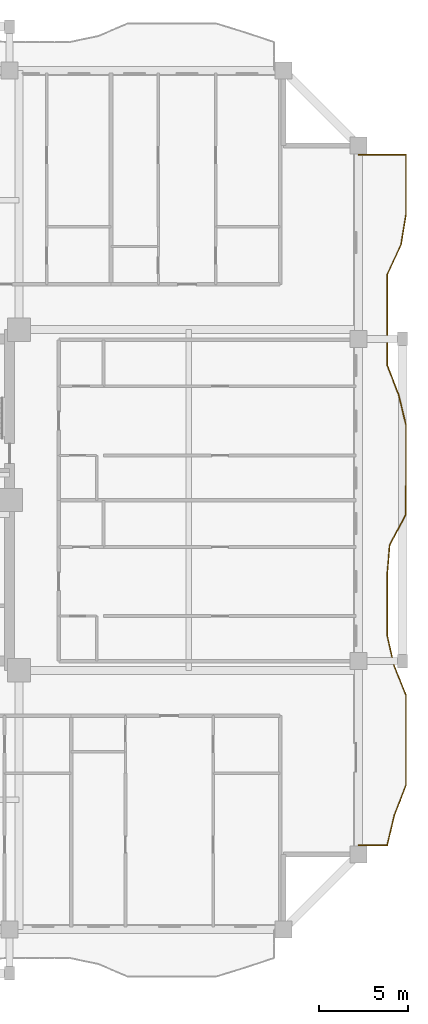
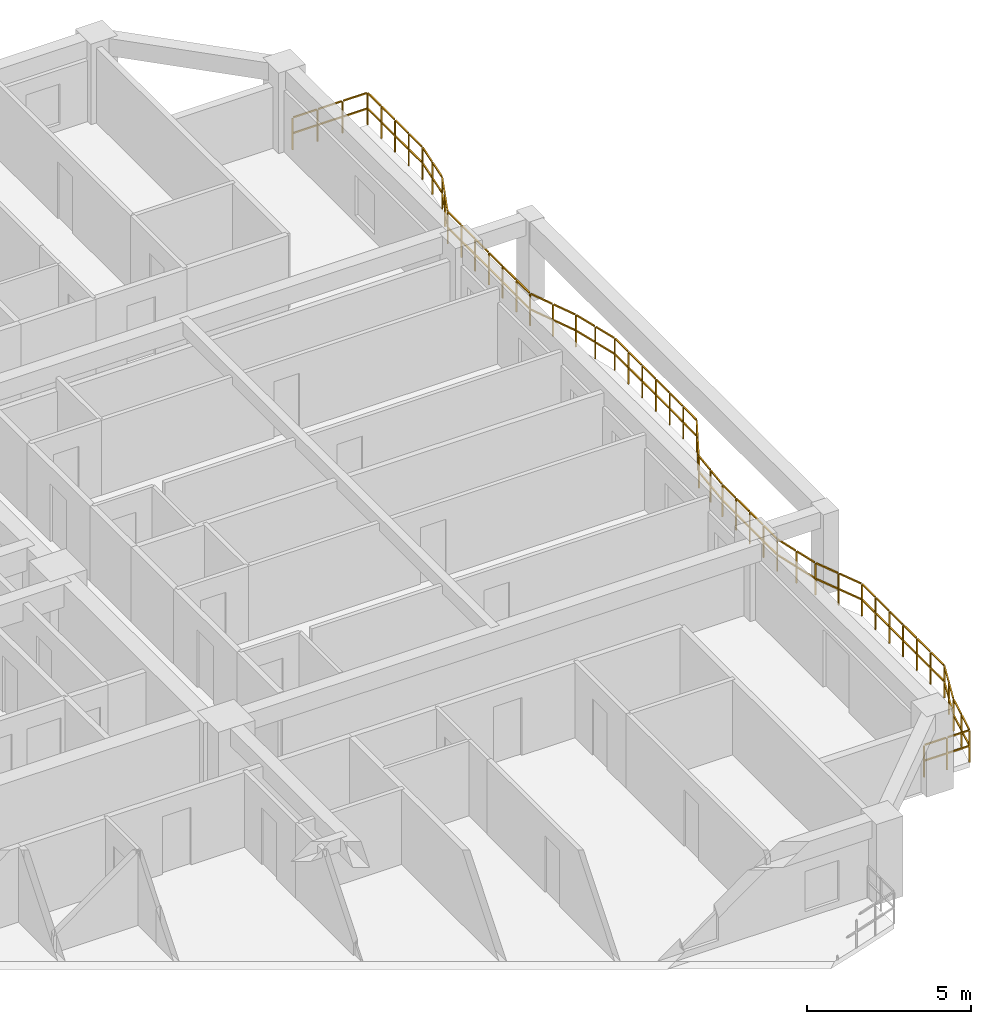
# One storey, part 13 of 14: 1 railing.
"""IFC4 building model written with IfcOpenShell, lengths in metres."""

from ifc_helpers import new_model, si_unit, direction, frame, origin, origin_2d, place, context, subcontext, project, spatial, rectangle, extrude, material, type_object, element, save


model = new_model("IFC4")

# Units and contexts
model_context = context("Model", 3, precision=1e-05, world=origin(), true_north=direction((0.0, 1.0)))
body_context = subcontext(model_context, "Body", "Model", "MODEL_VIEW")
ifc_project = project(units=[si_unit("LENGTHUNIT", "METRE"), si_unit("AREAUNIT", "SQUARE_METRE"), si_unit("VOLUMEUNIT", "CUBIC_METRE"), si_unit("PLANEANGLEUNIT", "RADIAN"), si_unit("MASSUNIT", "GRAM", prefix="KILO")], contexts=[model_context])

# Site, building, storey
site_placement = place(None, origin())
site = spatial("IfcSite", under=ifc_project, at=site_placement, CompositionType="ELEMENT")
building_placement = place(site_placement, origin())
building = spatial("IfcBuilding", under=site, at=building_placement, Name="Saelheon Loggia Tower", CompositionType="ELEMENT")
storey_placement = place(building_placement, frame((0.0, 0.0, 86.85009765625)))
storey = spatial("IfcBuildingStorey", under=building, at=storey_placement, Name="L27", CompositionType="ELEMENT", Elevation=86.85009765625)

# Railing
ifc_material = material(Name="Architectural Precast Concrete and Laminated Glass Guard", Category="concrete")
railing_type = type_object("IfcRailingType", Name="Guard_Loggia_RL_LOG", PredefinedType="BALUSTRADE", material=ifc_material)
railing_placement = place(storey_placement, frame((64.0, 7.699951171875, 0.0)))
element("IfcRailing", 1, at=railing_placement, inside=storey, type_object=railing_type, Name="L27 East Loggia Balustrade", PredefinedType="BALUSTRADE", context=body_context, shape_type="SweptSolid", body=[
    extrude(rectangle(XDim=0.048095703125, YDim=0.048095703125, at=origin_2d()), frame((0.033203125, 0.0, 1.19580078125), z_axis=(1.0, 0.0, 0.0), x_axis=(0.0, 1.0, 0.0)), (0.0, 0.0, 1.0), 0.733642578125),
    extrude(rectangle(XDim=0.048095703125, YDim=0.048095703125, at=origin_2d()), frame((0.033203125, 0.0, 0.60986328125), z_axis=(1.0, 0.0, 0.0), x_axis=(0.0, 1.0, 0.0)), (0.0, 0.0, 1.0), 0.733642578125),
    extrude(rectangle(XDim=0.048095703125, YDim=0.048095703125, at=origin_2d()), frame((0.833251953125, 0.0, 1.19580078125), z_axis=(1.0, 0.0, 0.0), x_axis=(0.0, 1.0, 0.0)), (0.0, 0.0, 1.0), 0.733642578125),
    extrude(rectangle(XDim=0.048095703125, YDim=0.048095703125, at=origin_2d()), frame((0.833251953125, 0.0, 0.60986328125), z_axis=(1.0, 0.0, 0.0), x_axis=(0.0, 1.0, 0.0)), (0.0, 0.0, 1.0), 0.733642578125),
    extrude(rectangle(XDim=0.048095703125, YDim=0.048095703125, at=origin_2d()), frame((1.60791015625, 0.0322265625, 1.19580078125), z_axis=(0.233105455965, 0.972451462233, 0.0), x_axis=(-0.972451462233, 0.233105455965, 0.0)), (0.0, 0.0, 1.0), 0.796630859375),
    extrude(rectangle(XDim=0.048095703125, YDim=0.048095703125, at=origin_2d()), frame((1.60791015625, 0.0322265625, 0.60986328125), z_axis=(0.233105455965, 0.972451462233, 0.0), x_axis=(-0.972451462233, 0.233105455965, 0.0)), (0.0, 0.0, 1.0), 0.796630859375),
    extrude(rectangle(XDim=0.048095703125, YDim=0.048095703125, at=origin_2d()), frame((1.80908203125, 0.87158203125, 1.19580078125), z_axis=(0.233105455965, 0.972451462233, 0.0), x_axis=(-0.972451462233, 0.233105455965, 0.0)), (0.0, 0.0, 1.0), 0.796630859375),
    extrude(rectangle(XDim=0.048095703125, YDim=0.048095703125, at=origin_2d()), frame((1.80908203125, 0.87158203125, 0.60986328125), z_axis=(0.233105455965, 0.972451462233, 0.0), x_axis=(-0.972451462233, 0.233105455965, 0.0)), (0.0, 0.0, 1.0), 0.796630859375),
    extrude(rectangle(XDim=0.048095703125, YDim=0.048095703125, at=origin_2d()), frame((2.014404296875, 1.70947265625, 1.19580078125), z_axis=(0.359988539971, 0.932956725197, 0.0), x_axis=(-0.932956725197, 0.359988539971, 0.0)), (0.0, 0.0, 1.0), 0.832763671875),
    extrude(rectangle(XDim=0.048095703125, YDim=0.048095703125, at=origin_2d()), frame((2.014404296875, 1.70947265625, 0.60986328125), z_axis=(0.359988539971, 0.932956725197, 0.0), x_axis=(-0.932956725197, 0.359988539971, 0.0)), (0.0, 0.0, 1.0), 0.832763671875),
    extrude(rectangle(XDim=0.048095703125, YDim=0.048095703125, at=origin_2d()), frame((2.338134765625, 2.548583984375, 1.19580078125), z_axis=(0.359988539971, 0.932956725197, 0.0), x_axis=(-0.932956725197, 0.359988539971, 0.0)), (0.0, 0.0, 1.0), 0.832763671875),
    extrude(rectangle(XDim=0.048095703125, YDim=0.048095703125, at=origin_2d()), frame((2.338134765625, 2.548583984375, 0.60986328125), z_axis=(0.359988539971, 0.932956725197, 0.0), x_axis=(-0.932956725197, 0.359988539971, 0.0)), (0.0, 0.0, 1.0), 0.832763671875),
    extrude(rectangle(XDim=0.048095703125, YDim=0.048095703125, at=origin_2d()), frame((2.64990234375, 3.3896484375, 1.19580078125), z_axis=(0.0, 1.0, 0.0), x_axis=(-1.0, 0.0, 0.0)), (0.0, 0.0, 1.0), 0.772705078125),
    extrude(rectangle(XDim=0.048095703125, YDim=0.048095703125, at=origin_2d()), frame((2.64990234375, 3.3896484375, 0.60986328125), z_axis=(0.0, 1.0, 0.0), x_axis=(-1.0, 0.0, 0.0)), (0.0, 0.0, 1.0), 0.772705078125),
    extrude(rectangle(XDim=0.048095703125, YDim=0.048095703125, at=origin_2d()), frame((2.64990234375, 4.22900390625, 1.19580078125), z_axis=(0.0, 1.0, 0.0), x_axis=(-1.0, 0.0, 0.0)), (0.0, 0.0, 1.0), 0.772705078125),
    extrude(rectangle(XDim=0.048095703125, YDim=0.048095703125, at=origin_2d()), frame((2.64990234375, 4.22900390625, 0.60986328125), z_axis=(0.0, 1.0, 0.0), x_axis=(-1.0, 0.0, 0.0)), (0.0, 0.0, 1.0), 0.772705078125),
    extrude(rectangle(XDim=0.048095703125, YDim=0.048095703125, at=origin_2d()), frame((2.64990234375, 5.068115234375, 1.19580078125), z_axis=(0.0, 1.0, 0.0), x_axis=(-1.0, 0.0, 0.0)), (0.0, 0.0, 1.0), 0.772705078125),
    extrude(rectangle(XDim=0.048095703125, YDim=0.048095703125, at=origin_2d()), frame((2.64990234375, 5.068115234375, 0.60986328125), z_axis=(0.0, 1.0, 0.0), x_axis=(-1.0, 0.0, 0.0)), (0.0, 0.0, 1.0), 0.772705078125),
    extrude(rectangle(XDim=0.048095703125, YDim=0.048095703125, at=origin_2d()), frame((2.64990234375, 5.9072265625, 1.19580078125), z_axis=(0.0, 1.0, 0.0), x_axis=(-1.0, 0.0, 0.0)), (0.0, 0.0, 1.0), 0.772705078125),
    extrude(rectangle(XDim=0.048095703125, YDim=0.048095703125, at=origin_2d()), frame((2.64990234375, 5.9072265625, 0.60986328125), z_axis=(0.0, 1.0, 0.0), x_axis=(-1.0, 0.0, 0.0)), (0.0, 0.0, 1.0), 0.772705078125),
    extrude(rectangle(XDim=0.048095703125, YDim=0.048095703125, at=origin_2d()), frame((2.64990234375, 6.746337890625, 1.19580078125), z_axis=(0.0, 1.0, 0.0), x_axis=(-1.0, 0.0, 0.0)), (0.0, 0.0, 1.0), 0.772705078125),
    extrude(rectangle(XDim=0.048095703125, YDim=0.048095703125, at=origin_2d()), frame((2.64990234375, 6.746337890625, 0.60986328125), z_axis=(0.0, 1.0, 0.0), x_axis=(-1.0, 0.0, 0.0)), (0.0, 0.0, 1.0), 0.772705078125),
    extrude(rectangle(XDim=0.048095703125, YDim=0.048095703125, at=origin_2d()), frame((2.64990234375, 7.58544921875, 1.19580078125), z_axis=(0.0, 1.0, 0.0), x_axis=(-1.0, 0.0, 0.0)), (0.0, 0.0, 1.0), 0.772705078125),
    extrude(rectangle(XDim=0.048095703125, YDim=0.048095703125, at=origin_2d()), frame((2.64990234375, 7.58544921875, 0.60986328125), z_axis=(0.0, 1.0, 0.0), x_axis=(-1.0, 0.0, 0.0)), (0.0, 0.0, 1.0), 0.772705078125),
    extrude(rectangle(XDim=0.048095703125, YDim=0.048095703125, at=origin_2d()), frame((2.637451171875, 8.422119140625, 1.19580078125), z_axis=(-0.372251854994, 0.928131755977, 0.0), x_axis=(-0.928131755977, -0.372251854994, 0.0)), (0.0, 0.0, 1.0), 0.837646484375),
    extrude(rectangle(XDim=0.048095703125, YDim=0.048095703125, at=origin_2d()), frame((2.637451171875, 8.422119140625, 0.60986328125), z_axis=(-0.372251854994, 0.928131755977, 0.0), x_axis=(-0.928131755977, -0.372251854994, 0.0)), (0.0, 0.0, 1.0), 0.837646484375),
    extrude(rectangle(XDim=0.048095703125, YDim=0.048095703125, at=origin_2d()), frame((2.301025390625, 9.26123046875, 1.19580078125), z_axis=(-0.372251854994, 0.928131755977, 0.0), x_axis=(-0.928131755977, -0.372251854994, 0.0)), (0.0, 0.0, 1.0), 0.837646484375),
    extrude(rectangle(XDim=0.048095703125, YDim=0.048095703125, at=origin_2d()), frame((2.301025390625, 9.26123046875, 0.60986328125), z_axis=(-0.372251854994, 0.928131755977, 0.0), x_axis=(-0.928131755977, -0.372251854994, 0.0)), (0.0, 0.0, 1.0), 0.837646484375),
    extrude(rectangle(XDim=0.048095703125, YDim=0.048095703125, at=origin_2d()), frame((1.969482421875, 10.10205078125, 1.19580078125), z_axis=(-0.219019037478, 0.97572058563, 0.0), x_axis=(-0.97572058563, -0.219019037478, 0.0)), (0.0, 0.0, 1.0), 0.79345703125),
    extrude(rectangle(XDim=0.048095703125, YDim=0.048095703125, at=origin_2d()), frame((1.969482421875, 10.10205078125, 0.60986328125), z_axis=(-0.219019037478, 0.97572058563, 0.0), x_axis=(-0.97572058563, -0.219019037478, 0.0)), (0.0, 0.0, 1.0), 0.79345703125),
    extrude(rectangle(XDim=0.048095703125, YDim=0.048095703125, at=origin_2d()), frame((1.78125, 10.941162109375, 1.19580078125), z_axis=(-0.219019037478, 0.97572058563, 0.0), x_axis=(-0.97572058563, -0.219019037478, 0.0)), (0.0, 0.0, 1.0), 0.79345703125),
    extrude(rectangle(XDim=0.048095703125, YDim=0.048095703125, at=origin_2d()), frame((1.78125, 10.941162109375, 0.60986328125), z_axis=(-0.219019037478, 0.97572058563, 0.0), x_axis=(-0.97572058563, -0.219019037478, 0.0)), (0.0, 0.0, 1.0), 0.79345703125),
    extrude(rectangle(XDim=0.048095703125, YDim=0.048095703125, at=origin_2d()), frame((1.60009765625, 11.781005859375, 1.19580078125), z_axis=(0.0, 1.0, 0.0), x_axis=(-1.0, 0.0, 0.0)), (0.0, 0.0, 1.0), 0.772705078125),
    extrude(rectangle(XDim=0.048095703125, YDim=0.048095703125, at=origin_2d()), frame((1.60009765625, 11.781005859375, 0.60986328125), z_axis=(0.0, 1.0, 0.0), x_axis=(-1.0, 0.0, 0.0)), (0.0, 0.0, 1.0), 0.772705078125),
    extrude(rectangle(XDim=0.048095703125, YDim=0.048095703125, at=origin_2d()), frame((1.60009765625, 12.620361328125, 1.19580078125), z_axis=(0.0, 1.0, 0.0), x_axis=(-1.0, 0.0, 0.0)), (0.0, 0.0, 1.0), 0.772705078125),
    extrude(rectangle(XDim=0.048095703125, YDim=0.048095703125, at=origin_2d()), frame((1.60009765625, 12.620361328125, 0.60986328125), z_axis=(0.0, 1.0, 0.0), x_axis=(-1.0, 0.0, 0.0)), (0.0, 0.0, 1.0), 0.772705078125),
    extrude(rectangle(XDim=0.048095703125, YDim=0.048095703125, at=origin_2d()), frame((1.60009765625, 13.45947265625, 1.19580078125), z_axis=(0.0, 1.0, 0.0), x_axis=(-1.0, 0.0, 0.0)), (0.0, 0.0, 1.0), 0.7724609375),
    extrude(rectangle(XDim=0.048095703125, YDim=0.048095703125, at=origin_2d()), frame((1.60009765625, 13.45947265625, 0.60986328125), z_axis=(0.0, 1.0, 0.0), x_axis=(-1.0, 0.0, 0.0)), (0.0, 0.0, 1.0), 0.7724609375),
    extrude(rectangle(XDim=0.048095703125, YDim=0.048095703125, at=origin_2d()), frame((1.60009765625, 14.298583984375, 1.19580078125), z_axis=(0.0, 1.0, 0.0), x_axis=(-1.0, 0.0, 0.0)), (0.0, 0.0, 1.0), 0.7724609375),
    extrude(rectangle(XDim=0.048095703125, YDim=0.048095703125, at=origin_2d()), frame((1.60009765625, 14.298583984375, 0.60986328125), z_axis=(0.0, 1.0, 0.0), x_axis=(-1.0, 0.0, 0.0)), (0.0, 0.0, 1.0), 0.7724609375),
    extrude(rectangle(XDim=0.048095703125, YDim=0.048095703125, at=origin_2d()), frame((1.602783203125, 15.137451171875, 1.19580078125), z_axis=(0.082769561471, 0.996568712982, 0.0), x_axis=(-0.996568712982, 0.082769561471, 0.0)), (0.0, 0.0, 1.0), 0.775634765625),
    extrude(rectangle(XDim=0.048095703125, YDim=0.048095703125, at=origin_2d()), frame((1.602783203125, 15.137451171875, 0.60986328125), z_axis=(0.082769561471, 0.996568712982, 0.0), x_axis=(-0.996568712982, 0.082769561471, 0.0)), (0.0, 0.0, 1.0), 0.775634765625),
    extrude(rectangle(XDim=0.048095703125, YDim=0.048095703125, at=origin_2d()), frame((1.672607421875, 15.9765625, 1.19580078125), z_axis=(0.082769561471, 0.996568712982, 0.0), x_axis=(-0.996568712982, 0.082769561471, 0.0)), (0.0, 0.0, 1.0), 0.775634765625),
    extrude(rectangle(XDim=0.048095703125, YDim=0.048095703125, at=origin_2d()), frame((1.672607421875, 15.9765625, 0.60986328125), z_axis=(0.082769561471, 0.996568712982, 0.0), x_axis=(-0.996568712982, 0.082769561471, 0.0)), (0.0, 0.0, 1.0), 0.775634765625),
    extrude(rectangle(XDim=0.048095703125, YDim=0.048095703125, at=origin_2d()), frame((1.755126953125, 16.81201171875, 1.19580078125), z_axis=(0.470474964031, 0.882413343179, 0.0), x_axis=(-0.882413343179, 0.470474964031, 0.0)), (0.0, 0.0, 1.0), 0.884521484375),
    extrude(rectangle(XDim=0.048095703125, YDim=0.048095703125, at=origin_2d()), frame((1.755126953125, 16.81201171875, 0.60986328125), z_axis=(0.470474964031, 0.882413343179, 0.0), x_axis=(-0.882413343179, 0.470474964031, 0.0)), (0.0, 0.0, 1.0), 0.884521484375),
    extrude(rectangle(XDim=0.048095703125, YDim=0.048095703125, at=origin_2d()), frame((2.20263671875, 17.651123046875, 1.19580078125), z_axis=(0.470474964031, 0.882413343179, 0.0), x_axis=(-0.882413343179, 0.470474964031, 0.0)), (0.0, 0.0, 1.0), 0.884521484375),
    extrude(rectangle(XDim=0.048095703125, YDim=0.048095703125, at=origin_2d()), frame((2.20263671875, 17.651123046875, 0.60986328125), z_axis=(0.470474964031, 0.882413343179, 0.0), x_axis=(-0.882413343179, 0.470474964031, 0.0)), (0.0, 0.0, 1.0), 0.884521484375),
    extrude(rectangle(XDim=0.048095703125, YDim=0.048095703125, at=origin_2d()), frame((2.634521484375, 18.494140625, 1.19580078125), z_axis=(0.009310041647, 0.999956660623, 0.0), x_axis=(-0.999956660623, 0.009310041647, 0.0)), (0.0, 0.0, 1.0), 0.772705078125),
    extrude(rectangle(XDim=0.048095703125, YDim=0.048095703125, at=origin_2d()), frame((2.634521484375, 18.494140625, 0.60986328125), z_axis=(0.009310041647, 0.999956660623, 0.0), x_axis=(-0.999956660623, 0.009310041647, 0.0)), (0.0, 0.0, 1.0), 0.772705078125),
    extrude(rectangle(XDim=0.048095703125, YDim=0.048095703125, at=origin_2d()), frame((2.642333984375, 19.333251953125, 1.19580078125), z_axis=(0.009310041647, 0.999956660623, 0.0), x_axis=(-0.999956660623, 0.009310041647, 0.0)), (0.0, 0.0, 1.0), 0.772705078125),
    extrude(rectangle(XDim=0.048095703125, YDim=0.048095703125, at=origin_2d()), frame((2.642333984375, 19.333251953125, 0.60986328125), z_axis=(0.009310041647, 0.999956660623, 0.0), x_axis=(-0.999956660623, 0.009310041647, 0.0)), (0.0, 0.0, 1.0), 0.772705078125),
    extrude(rectangle(XDim=0.048095703125, YDim=0.048095703125, at=origin_2d()), frame((2.64990234375, 20.17236328125, 1.19580078125), z_axis=(0.0, 1.0, 0.0), x_axis=(-1.0, 0.0, 0.0)), (0.0, 0.0, 1.0), 0.772705078125),
    extrude(rectangle(XDim=0.048095703125, YDim=0.048095703125, at=origin_2d()), frame((2.64990234375, 20.17236328125, 0.60986328125), z_axis=(0.0, 1.0, 0.0), x_axis=(-1.0, 0.0, 0.0)), (0.0, 0.0, 1.0), 0.772705078125),
    extrude(rectangle(XDim=0.048095703125, YDim=0.048095703125, at=origin_2d()), frame((2.64990234375, 21.011474609375, 1.19580078125), z_axis=(0.0, 1.0, 0.0), x_axis=(-1.0, 0.0, 0.0)), (0.0, 0.0, 1.0), 0.772705078125),
    extrude(rectangle(XDim=0.048095703125, YDim=0.048095703125, at=origin_2d()), frame((2.64990234375, 21.011474609375, 0.60986328125), z_axis=(0.0, 1.0, 0.0), x_axis=(-1.0, 0.0, 0.0)), (0.0, 0.0, 1.0), 0.772705078125),
    extrude(rectangle(XDim=0.048095703125, YDim=0.048095703125, at=origin_2d()), frame((2.64990234375, 21.8505859375, 1.19580078125), z_axis=(0.0, 1.0, 0.0), x_axis=(-1.0, 0.0, 0.0)), (0.0, 0.0, 1.0), 0.772705078125),
    extrude(rectangle(XDim=0.048095703125, YDim=0.048095703125, at=origin_2d()), frame((2.64990234375, 21.8505859375, 0.60986328125), z_axis=(0.0, 1.0, 0.0), x_axis=(-1.0, 0.0, 0.0)), (0.0, 0.0, 1.0), 0.772705078125),
    extrude(rectangle(XDim=0.048095703125, YDim=0.048095703125, at=origin_2d()), frame((2.64990234375, 22.68994140625, 1.19580078125), z_axis=(0.0, 1.0, 0.0), x_axis=(-1.0, 0.0, 0.0)), (0.0, 0.0, 1.0), 0.772705078125),
    extrude(rectangle(XDim=0.048095703125, YDim=0.048095703125, at=origin_2d()), frame((2.64990234375, 22.68994140625, 0.60986328125), z_axis=(0.0, 1.0, 0.0), x_axis=(-1.0, 0.0, 0.0)), (0.0, 0.0, 1.0), 0.772705078125),
    extrude(rectangle(XDim=0.048095703125, YDim=0.048095703125, at=origin_2d()), frame((2.64208984375, 23.528076171875, 1.19580078125), z_axis=(-0.234239529091, 0.972178915124, 0.0), x_axis=(-0.972178915124, -0.234239529091, 0.0)), (0.0, 0.0, 1.0), 0.796630859375),
    extrude(rectangle(XDim=0.048095703125, YDim=0.048095703125, at=origin_2d()), frame((2.64208984375, 23.528076171875, 0.60986328125), z_axis=(-0.234239529091, 0.972178915124, 0.0), x_axis=(-0.972178915124, -0.234239529091, 0.0)), (0.0, 0.0, 1.0), 0.796630859375),
    extrude(rectangle(XDim=0.048095703125, YDim=0.048095703125, at=origin_2d()), frame((2.43994140625, 24.3671875, 1.19580078125), z_axis=(-0.234239529091, 0.972178915124, 0.0), x_axis=(-0.972178915124, -0.234239529091, 0.0)), (0.0, 0.0, 1.0), 0.796630859375),
    extrude(rectangle(XDim=0.048095703125, YDim=0.048095703125, at=origin_2d()), frame((2.43994140625, 24.3671875, 0.60986328125), z_axis=(-0.234239529091, 0.972178915124, 0.0), x_axis=(-0.972178915124, -0.234239529091, 0.0)), (0.0, 0.0, 1.0), 0.796630859375),
    extrude(rectangle(XDim=0.048095703125, YDim=0.048095703125, at=origin_2d()), frame((2.233642578125, 25.204833984375, 1.19580078125), z_axis=(-0.358951787018, 0.93335610278, 0.0), x_axis=(-0.93335610278, -0.358951787018, 0.0)), (0.0, 0.0, 1.0), 0.832763671875),
    extrude(rectangle(XDim=0.048095703125, YDim=0.048095703125, at=origin_2d()), frame((2.233642578125, 25.204833984375, 0.60986328125), z_axis=(-0.358951787018, 0.93335610278, 0.0), x_axis=(-0.93335610278, -0.358951787018, 0.0)), (0.0, 0.0, 1.0), 0.832763671875),
    extrude(rectangle(XDim=0.048095703125, YDim=0.048095703125, at=origin_2d()), frame((1.910888671875, 26.044189453125, 1.19580078125), z_axis=(-0.358951787018, 0.93335610278, 0.0), x_axis=(-0.93335610278, -0.358951787018, 0.0)), (0.0, 0.0, 1.0), 0.832763671875),
    extrude(rectangle(XDim=0.048095703125, YDim=0.048095703125, at=origin_2d()), frame((1.910888671875, 26.044189453125, 0.60986328125), z_axis=(-0.358951787018, 0.93335610278, 0.0), x_axis=(-0.93335610278, -0.358951787018, 0.0)), (0.0, 0.0, 1.0), 0.832763671875),
    extrude(rectangle(XDim=0.048095703125, YDim=0.048095703125, at=origin_2d()), frame((1.60009765625, 26.885498046875, 1.19580078125), z_axis=(0.0, 1.0, 0.0), x_axis=(-1.0, 0.0, 0.0)), (0.0, 0.0, 1.0), 0.772705078125),
    extrude(rectangle(XDim=0.048095703125, YDim=0.048095703125, at=origin_2d()), frame((1.60009765625, 26.885498046875, 0.60986328125), z_axis=(0.0, 1.0, 0.0), x_axis=(-1.0, 0.0, 0.0)), (0.0, 0.0, 1.0), 0.772705078125),
    extrude(rectangle(XDim=0.048095703125, YDim=0.048095703125, at=origin_2d()), frame((1.60009765625, 27.724609375, 1.19580078125), z_axis=(0.0, 1.0, 0.0), x_axis=(-1.0, 0.0, 0.0)), (0.0, 0.0, 1.0), 0.772705078125),
    extrude(rectangle(XDim=0.048095703125, YDim=0.048095703125, at=origin_2d()), frame((1.60009765625, 27.724609375, 0.60986328125), z_axis=(0.0, 1.0, 0.0), x_axis=(-1.0, 0.0, 0.0)), (0.0, 0.0, 1.0), 0.772705078125),
    extrude(rectangle(XDim=0.048095703125, YDim=0.048095703125, at=origin_2d()), frame((1.60009765625, 28.563720703125, 1.19580078125), z_axis=(0.0, 1.0, 0.0), x_axis=(-1.0, 0.0, 0.0)), (0.0, 0.0, 1.0), 0.772705078125),
    extrude(rectangle(XDim=0.048095703125, YDim=0.048095703125, at=origin_2d()), frame((1.60009765625, 28.563720703125, 0.60986328125), z_axis=(0.0, 1.0, 0.0), x_axis=(-1.0, 0.0, 0.0)), (0.0, 0.0, 1.0), 0.772705078125),
    extrude(rectangle(XDim=0.048095703125, YDim=0.048095703125, at=origin_2d()), frame((1.60009765625, 29.40283203125, 1.19580078125), z_axis=(0.0, 1.0, 0.0), x_axis=(-1.0, 0.0, 0.0)), (0.0, 0.0, 1.0), 0.772705078125),
    extrude(rectangle(XDim=0.048095703125, YDim=0.048095703125, at=origin_2d()), frame((1.60009765625, 29.40283203125, 0.60986328125), z_axis=(0.0, 1.0, 0.0), x_axis=(-1.0, 0.0, 0.0)), (0.0, 0.0, 1.0), 0.772705078125),
    extrude(rectangle(XDim=0.048095703125, YDim=0.048095703125, at=origin_2d()), frame((1.60009765625, 30.241943359375, 1.19580078125), z_axis=(0.0, 1.0, 0.0), x_axis=(-1.0, 0.0, 0.0)), (0.0, 0.0, 1.0), 0.772705078125),
    extrude(rectangle(XDim=0.048095703125, YDim=0.048095703125, at=origin_2d()), frame((1.60009765625, 30.241943359375, 0.60986328125), z_axis=(0.0, 1.0, 0.0), x_axis=(-1.0, 0.0, 0.0)), (0.0, 0.0, 1.0), 0.772705078125),
    extrude(rectangle(XDim=0.048095703125, YDim=0.048095703125, at=origin_2d()), frame((1.60009765625, 31.0810546875, 1.19580078125), z_axis=(0.0, 1.0, 0.0), x_axis=(-1.0, 0.0, 0.0)), (0.0, 0.0, 1.0), 0.772705078125),
    extrude(rectangle(XDim=0.048095703125, YDim=0.048095703125, at=origin_2d()), frame((1.60009765625, 31.0810546875, 0.60986328125), z_axis=(0.0, 1.0, 0.0), x_axis=(-1.0, 0.0, 0.0)), (0.0, 0.0, 1.0), 0.772705078125),
    extrude(rectangle(XDim=0.048095703125, YDim=0.048095703125, at=origin_2d()), frame((1.614013671875, 31.917236328125, 1.19580078125), z_axis=(0.419100057061, 0.907940054283, 0.0), x_axis=(-0.907940054283, 0.419100057061, 0.0)), (0.0, 0.0, 1.0), 0.857666015625),
    extrude(rectangle(XDim=0.048095703125, YDim=0.048095703125, at=origin_2d()), frame((1.614013671875, 31.917236328125, 0.60986328125), z_axis=(0.419100057061, 0.907940054283, 0.0), x_axis=(-0.907940054283, 0.419100057061, 0.0)), (0.0, 0.0, 1.0), 0.857666015625),
    extrude(rectangle(XDim=0.048095703125, YDim=0.048095703125, at=origin_2d()), frame((2.00146484375, 32.75634765625, 1.19580078125), z_axis=(0.419100057061, 0.907940054283, 0.0), x_axis=(-0.907940054283, 0.419100057061, 0.0)), (0.0, 0.0, 1.0), 0.857666015625),
    extrude(rectangle(XDim=0.048095703125, YDim=0.048095703125, at=origin_2d()), frame((2.00146484375, 32.75634765625, 0.60986328125), z_axis=(0.419100057061, 0.907940054283, 0.0), x_axis=(-0.907940054283, 0.419100057061, 0.0)), (0.0, 0.0, 1.0), 0.857666015625),
    extrude(rectangle(XDim=0.048095703125, YDim=0.048095703125, at=origin_2d()), frame((2.380126953125, 33.597900390625, 1.19580078125), z_axis=(0.16176815253, 0.986828792054, 0.0), x_axis=(-0.986828792054, 0.16176815253, 0.0)), (0.0, 0.0, 1.0), 0.783935546875),
    extrude(rectangle(XDim=0.048095703125, YDim=0.048095703125, at=origin_2d()), frame((2.380126953125, 33.597900390625, 0.60986328125), z_axis=(0.16176815253, 0.986828792054, 0.0), x_axis=(-0.986828792054, 0.16176815253, 0.0)), (0.0, 0.0, 1.0), 0.783935546875),
    extrude(rectangle(XDim=0.048095703125, YDim=0.048095703125, at=origin_2d()), frame((2.517822265625, 34.437255859375, 1.19580078125), z_axis=(0.16176815253, 0.986828792054, 0.0), x_axis=(-0.986828792054, 0.16176815253, 0.0)), (0.0, 0.0, 1.0), 0.783935546875),
    extrude(rectangle(XDim=0.048095703125, YDim=0.048095703125, at=origin_2d()), frame((2.517822265625, 34.437255859375, 0.60986328125), z_axis=(0.16176815253, 0.986828792054, 0.0), x_axis=(-0.986828792054, 0.16176815253, 0.0)), (0.0, 0.0, 1.0), 0.783935546875),
    extrude(rectangle(XDim=0.048095703125, YDim=0.048095703125, at=origin_2d()), frame((2.64990234375, 35.27685546875, 1.19580078125), z_axis=(0.0, 1.0, 0.0), x_axis=(-1.0, 0.0, 0.0)), (0.0, 0.0, 1.0), 0.7724609375),
    extrude(rectangle(XDim=0.048095703125, YDim=0.048095703125, at=origin_2d()), frame((2.64990234375, 35.27685546875, 0.60986328125), z_axis=(0.0, 1.0, 0.0), x_axis=(-1.0, 0.0, 0.0)), (0.0, 0.0, 1.0), 0.7724609375),
    extrude(rectangle(XDim=0.048095703125, YDim=0.048095703125, at=origin_2d()), frame((2.64990234375, 36.115966796875, 1.19580078125), z_axis=(0.0, 1.0, 0.0), x_axis=(-1.0, 0.0, 0.0)), (0.0, 0.0, 1.0), 0.7724609375),
    extrude(rectangle(XDim=0.048095703125, YDim=0.048095703125, at=origin_2d()), frame((2.64990234375, 36.115966796875, 0.60986328125), z_axis=(0.0, 1.0, 0.0), x_axis=(-1.0, 0.0, 0.0)), (0.0, 0.0, 1.0), 0.7724609375),
    extrude(rectangle(XDim=0.048095703125, YDim=0.048095703125, at=origin_2d()), frame((2.64990234375, 36.954833984375, 1.19580078125), z_axis=(0.0, 1.0, 0.0), x_axis=(-1.0, 0.0, 0.0)), (0.0, 0.0, 1.0), 0.772705078125),
    extrude(rectangle(XDim=0.048095703125, YDim=0.048095703125, at=origin_2d()), frame((2.64990234375, 36.954833984375, 0.60986328125), z_axis=(0.0, 1.0, 0.0), x_axis=(-1.0, 0.0, 0.0)), (0.0, 0.0, 1.0), 0.772705078125),
    extrude(rectangle(XDim=0.048095703125, YDim=0.048095703125, at=origin_2d()), frame((2.64990234375, 37.794189453125, 1.19580078125), z_axis=(0.0, 1.0, 0.0), x_axis=(-1.0, 0.0, 0.0)), (0.0, 0.0, 1.0), 0.772705078125),
    extrude(rectangle(XDim=0.048095703125, YDim=0.048095703125, at=origin_2d()), frame((2.64990234375, 37.794189453125, 0.60986328125), z_axis=(0.0, 1.0, 0.0), x_axis=(-1.0, 0.0, 0.0)), (0.0, 0.0, 1.0), 0.772705078125),
    extrude(rectangle(XDim=0.048095703125, YDim=0.048095703125, at=origin_2d()), frame((2.61669921875, 38.60009765625, 1.19580078125), z_axis=(-1.0, 0.0, 0.0), x_axis=(0.0, -1.0, 0.0)), (0.0, 0.0, 1.0), 0.81689453125),
    extrude(rectangle(XDim=0.048095703125, YDim=0.048095703125, at=origin_2d()), frame((2.61669921875, 38.60009765625, 0.60986328125), z_axis=(-1.0, 0.0, 0.0), x_axis=(0.0, -1.0, 0.0)), (0.0, 0.0, 1.0), 0.81689453125),
    extrude(rectangle(XDim=0.048095703125, YDim=0.048095703125, at=origin_2d()), frame((1.7333984375, 38.60009765625, 1.19580078125), z_axis=(-1.0, 0.0, 0.0), x_axis=(0.0, -1.0, 0.0)), (0.0, 0.0, 1.0), 0.81689453125),
    extrude(rectangle(XDim=0.048095703125, YDim=0.048095703125, at=origin_2d()), frame((1.7333984375, 38.60009765625, 0.60986328125), z_axis=(-1.0, 0.0, 0.0), x_axis=(0.0, -1.0, 0.0)), (0.0, 0.0, 1.0), 0.81689453125),
    extrude(rectangle(XDim=0.048095703125, YDim=0.048095703125, at=origin_2d()), frame((0.85009765625, 38.60009765625, 1.19580078125), z_axis=(-1.0, 0.0, 0.0), x_axis=(0.0, -1.0, 0.0)), (0.0, 0.0, 1.0), 0.81689453125),
    extrude(rectangle(XDim=0.048095703125, YDim=0.048095703125, at=origin_2d()), frame((0.85009765625, 38.60009765625, 0.60986328125), z_axis=(-1.0, 0.0, 0.0), x_axis=(0.0, -1.0, 0.0)), (0.0, 0.0, 1.0), 0.81689453125),
    extrude(rectangle(XDim=0.0419921875, YDim=0.0419921875, at=origin_2d()), origin(), (0.0, 0.0, 1.0), 1.16796875),
    extrude(rectangle(XDim=0.0419921875, YDim=0.0419921875, at=origin_2d()), frame((0.800048828125, 0.0, 0.0)), (0.0, 0.0, 1.0), 1.16796875),
    extrude(rectangle(XDim=0.0419921875, YDim=0.0419921875, at=origin_2d()), frame((1.60009765625, 0.0, 0.0)), (0.0, 0.0, 1.0), 1.16796875),
    extrude(rectangle(XDim=0.0419921875, YDim=0.0419921875, at=origin_2d()), frame((1.80126953125, 0.83935546875, 0.0)), (0.0, 0.0, 1.0), 1.16796875),
    extrude(rectangle(XDim=0.0419921875, YDim=0.0419921875, at=origin_2d()), frame((2.00244140625, 1.678466796875, 0.0)), (0.0, 0.0, 1.0), 1.16796875),
    extrude(rectangle(XDim=0.0419921875, YDim=0.0419921875, at=origin_2d()), frame((2.326171875, 2.517578125, 0.0)), (0.0, 0.0, 1.0), 1.16796875),
    extrude(rectangle(XDim=0.0419921875, YDim=0.0419921875, at=origin_2d()), frame((2.64990234375, 3.3564453125, 0.0)), (0.0, 0.0, 1.0), 1.16796875),
    extrude(rectangle(XDim=0.0419921875, YDim=0.0419921875, at=origin_2d()), frame((2.64990234375, 4.19580078125, 0.0)), (0.0, 0.0, 1.0), 1.16796875),
    extrude(rectangle(XDim=0.0419921875, YDim=0.0419921875, at=origin_2d()), frame((2.64990234375, 5.034912109375, 0.0)), (0.0, 0.0, 1.0), 1.16796875),
    extrude(rectangle(XDim=0.0419921875, YDim=0.0419921875, at=origin_2d()), frame((2.64990234375, 5.8740234375, 0.0)), (0.0, 0.0, 1.0), 1.16796875),
    extrude(rectangle(XDim=0.0419921875, YDim=0.0419921875, at=origin_2d()), frame((2.64990234375, 6.713134765625, 0.0)), (0.0, 0.0, 1.0), 1.16796875),
    extrude(rectangle(XDim=0.0419921875, YDim=0.0419921875, at=origin_2d()), frame((2.64990234375, 7.55224609375, 0.0)), (0.0, 0.0, 1.0), 1.16796875),
    extrude(rectangle(XDim=0.0419921875, YDim=0.0419921875, at=origin_2d()), frame((2.64990234375, 8.391357421875, 0.0)), (0.0, 0.0, 1.0), 1.16796875),
    extrude(rectangle(XDim=0.0419921875, YDim=0.0419921875, at=origin_2d()), frame((2.3134765625, 9.23046875, 0.0)), (0.0, 0.0, 1.0), 1.16796875),
    extrude(rectangle(XDim=0.0419921875, YDim=0.0419921875, at=origin_2d()), frame((1.976806640625, 10.069580078125, 0.0)), (0.0, 0.0, 1.0), 1.16796875),
    extrude(rectangle(XDim=0.0419921875, YDim=0.0419921875, at=origin_2d()), frame((1.78857421875, 10.90869140625, 0.0)), (0.0, 0.0, 1.0), 1.16796875),
    extrude(rectangle(XDim=0.0419921875, YDim=0.0419921875, at=origin_2d()), frame((1.60009765625, 11.747802734375, 0.0)), (0.0, 0.0, 1.0), 1.16796875),
    extrude(rectangle(XDim=0.0419921875, YDim=0.0419921875, at=origin_2d()), frame((1.60009765625, 12.5869140625, 0.0)), (0.0, 0.0, 1.0), 1.16796875),
    extrude(rectangle(XDim=0.0419921875, YDim=0.0419921875, at=origin_2d()), frame((1.60009765625, 13.42626953125, 0.0)), (0.0, 0.0, 1.0), 1.16796875),
    extrude(rectangle(XDim=0.0419921875, YDim=0.0419921875, at=origin_2d()), frame((1.60009765625, 14.26513671875, 0.0)), (0.0, 0.0, 1.0), 1.16796875),
    extrude(rectangle(XDim=0.0419921875, YDim=0.0419921875, at=origin_2d()), frame((1.60009765625, 15.104248046875, 0.0)), (0.0, 0.0, 1.0), 1.16796875),
    extrude(rectangle(XDim=0.0419921875, YDim=0.0419921875, at=origin_2d()), frame((1.669921875, 15.943359375, 0.0)), (0.0, 0.0, 1.0), 1.16796875),
    extrude(rectangle(XDim=0.0419921875, YDim=0.0419921875, at=origin_2d()), frame((1.739501953125, 16.78271484375, 0.0)), (0.0, 0.0, 1.0), 1.16796875),
    extrude(rectangle(XDim=0.0419921875, YDim=0.0419921875, at=origin_2d()), frame((2.18701171875, 17.621826171875, 0.0)), (0.0, 0.0, 1.0), 1.16796875),
    extrude(rectangle(XDim=0.0419921875, YDim=0.0419921875, at=origin_2d()), frame((2.63427734375, 18.4609375, 0.0)), (0.0, 0.0, 1.0), 1.16796875),
    extrude(rectangle(XDim=0.0419921875, YDim=0.0419921875, at=origin_2d()), frame((2.64208984375, 19.300048828125, 0.0)), (0.0, 0.0, 1.0), 1.16796875),
    extrude(rectangle(XDim=0.0419921875, YDim=0.0419921875, at=origin_2d()), frame((2.64990234375, 20.13916015625, 0.0)), (0.0, 0.0, 1.0), 1.16796875),
    extrude(rectangle(XDim=0.0419921875, YDim=0.0419921875, at=origin_2d()), frame((2.64990234375, 20.978271484375, 0.0)), (0.0, 0.0, 1.0), 1.16796875),
    extrude(rectangle(XDim=0.0419921875, YDim=0.0419921875, at=origin_2d()), frame((2.64990234375, 21.8173828125, 0.0)), (0.0, 0.0, 1.0), 1.16796875),
    extrude(rectangle(XDim=0.0419921875, YDim=0.0419921875, at=origin_2d()), frame((2.64990234375, 22.65673828125, 0.0)), (0.0, 0.0, 1.0), 1.16796875),
    extrude(rectangle(XDim=0.0419921875, YDim=0.0419921875, at=origin_2d()), frame((2.64990234375, 23.495849609375, 0.0)), (0.0, 0.0, 1.0), 1.16796875),
    extrude(rectangle(XDim=0.0419921875, YDim=0.0419921875, at=origin_2d()), frame((2.44775390625, 24.3349609375, 0.0)), (0.0, 0.0, 1.0), 1.16796875),
    extrude(rectangle(XDim=0.0419921875, YDim=0.0419921875, at=origin_2d()), frame((2.24560546875, 25.173828125, 0.0)), (0.0, 0.0, 1.0), 1.16796875),
    extrude(rectangle(XDim=0.0419921875, YDim=0.0419921875, at=origin_2d()), frame((1.9228515625, 26.01318359375, 0.0)), (0.0, 0.0, 1.0), 1.16796875),
    extrude(rectangle(XDim=0.0419921875, YDim=0.0419921875, at=origin_2d()), frame((1.60009765625, 26.852294921875, 0.0)), (0.0, 0.0, 1.0), 1.16796875),
    extrude(rectangle(XDim=0.0419921875, YDim=0.0419921875, at=origin_2d()), frame((1.60009765625, 27.69140625, 0.0)), (0.0, 0.0, 1.0), 1.16796875),
    extrude(rectangle(XDim=0.0419921875, YDim=0.0419921875, at=origin_2d()), frame((1.60009765625, 28.530517578125, 0.0)), (0.0, 0.0, 1.0), 1.16796875),
    extrude(rectangle(XDim=0.0419921875, YDim=0.0419921875, at=origin_2d()), frame((1.60009765625, 29.36962890625, 0.0)), (0.0, 0.0, 1.0), 1.16796875),
    extrude(rectangle(XDim=0.0419921875, YDim=0.0419921875, at=origin_2d()), frame((1.60009765625, 30.208740234375, 0.0)), (0.0, 0.0, 1.0), 1.16796875),
    extrude(rectangle(XDim=0.0419921875, YDim=0.0419921875, at=origin_2d()), frame((1.60009765625, 31.0478515625, 0.0)), (0.0, 0.0, 1.0), 1.16796875),
    extrude(rectangle(XDim=0.0419921875, YDim=0.0419921875, at=origin_2d()), frame((1.60009765625, 31.886962890625, 0.0)), (0.0, 0.0, 1.0), 1.16796875),
    extrude(rectangle(XDim=0.0419921875, YDim=0.0419921875, at=origin_2d()), frame((1.9873046875, 32.72607421875, 0.0)), (0.0, 0.0, 1.0), 1.16796875),
    extrude(rectangle(XDim=0.0419921875, YDim=0.0419921875, at=origin_2d()), frame((2.374755859375, 33.565185546875, 0.0)), (0.0, 0.0, 1.0), 1.16796875),
    extrude(rectangle(XDim=0.0419921875, YDim=0.0419921875, at=origin_2d()), frame((2.51220703125, 34.404296875, 0.0)), (0.0, 0.0, 1.0), 1.16796875),
    extrude(rectangle(XDim=0.0419921875, YDim=0.0419921875, at=origin_2d()), frame((2.64990234375, 35.24365234375, 0.0)), (0.0, 0.0, 1.0), 1.16796875),
    extrude(rectangle(XDim=0.0419921875, YDim=0.0419921875, at=origin_2d()), frame((2.64990234375, 36.08251953125, 0.0)), (0.0, 0.0, 1.0), 1.16796875),
    extrude(rectangle(XDim=0.0419921875, YDim=0.0419921875, at=origin_2d()), frame((2.64990234375, 36.921630859375, 0.0)), (0.0, 0.0, 1.0), 1.16796875),
    extrude(rectangle(XDim=0.0419921875, YDim=0.0419921875, at=origin_2d()), frame((2.64990234375, 37.7607421875, 0.0)), (0.0, 0.0, 1.0), 1.16796875),
    extrude(rectangle(XDim=0.0419921875, YDim=0.0419921875, at=origin_2d()), frame((2.64990234375, 38.60009765625, 0.0)), (0.0, 0.0, 1.0), 1.16796875),
    extrude(rectangle(XDim=0.0419921875, YDim=0.0419921875, at=origin_2d()), frame((1.7666015625, 38.60009765625, 0.0)), (0.0, 0.0, 1.0), 1.16796875),
    extrude(rectangle(XDim=0.0419921875, YDim=0.0419921875, at=origin_2d()), frame((0.88330078125, 38.60009765625, 0.0)), (0.0, 0.0, 1.0), 1.16796875),
    extrude(rectangle(XDim=0.0419921875, YDim=0.0419921875, at=origin_2d()), frame((0.0, 38.60009765625, 0.0)), (0.0, 0.0, 1.0), 1.16796875),
])

save(model, "model.ifc")
